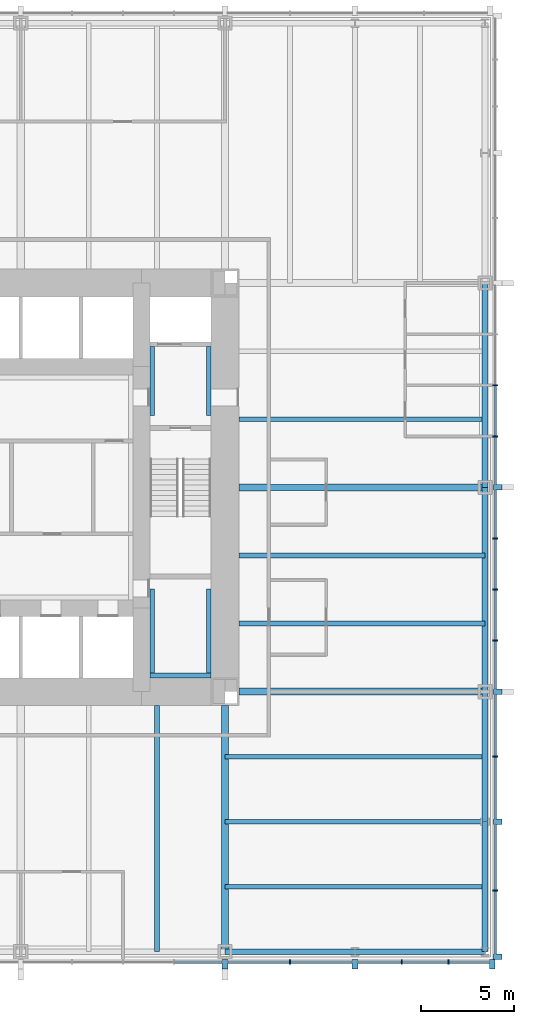
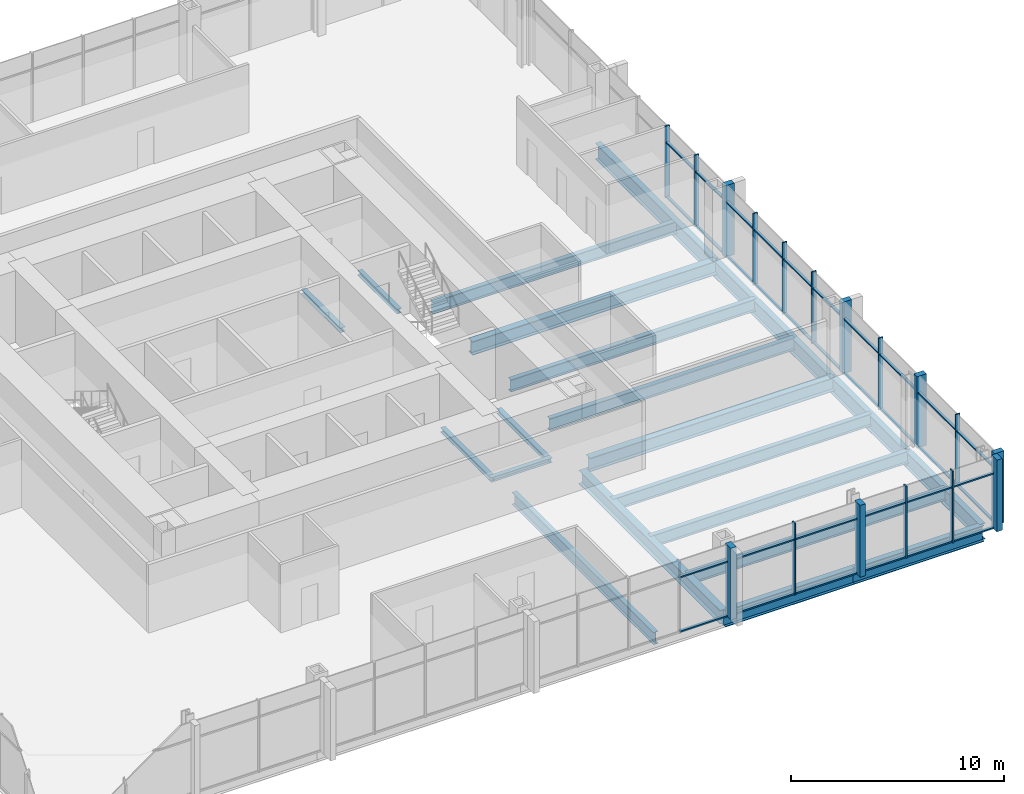
# One storey, part 4 of 12: 49 members, 21 beams, 2 elements without a shape of their own.
"""IFC4 building model written with IfcOpenShell, lengths in metres."""

from ifc_helpers import new_model, si_unit, direction, frame, origin, origin_2d, place, context, subcontext, project, spatial, rectangle, i_section, extrude, material, material_profile, profile_set, type_object, element, aggregate, save


model = new_model("IFC4")

# Units and contexts
model_context = context("Model", 3, precision=1e-05, world=origin(), true_north=direction((0.0, 1.0)))
body_context = subcontext(model_context, "Body", "Model", "MODEL_VIEW")
ifc_project = project(units=[si_unit("LENGTHUNIT", "METRE"), si_unit("AREAUNIT", "SQUARE_METRE"), si_unit("VOLUMEUNIT", "CUBIC_METRE"), si_unit("PLANEANGLEUNIT", "RADIAN"), si_unit("MASSUNIT", "GRAM", prefix="KILO")], contexts=[model_context])

# Site, building, storey
site_placement = place(None, origin())
site = spatial("IfcSite", under=ifc_project, at=site_placement, CompositionType="ELEMENT")
building_placement = place(site_placement, origin())
building = spatial("IfcBuilding", under=site, at=building_placement, Name="Trevanion Tower", CompositionType="ELEMENT")
storey_placement = place(building_placement, frame((0.0, 0.0, 57.0)))
storey = spatial("IfcBuildingStorey", under=building, at=storey_placement, Name="L13", CompositionType="ELEMENT", Elevation=57.0)

# Beams
ifc_material_1 = material(Name="Steel ASTM A992 Grade 50", Category="steel")
ifc_material_profile_1 = material_profile(ifc_material_1, i_section(OverallWidth=0.25390625, OverallDepth=0.700927734375, WebThickness=0.015380859375, FlangeThickness=0.02783203125, at=origin_2d()), Name="W27X129")
ifc_profile_set_1 = profile_set([ifc_material_profile_1], Name="Steel ASTM A992 Grade 50")
beam_type_1 = type_object("IfcBeamType", Name="B3 W27X129", PredefinedType="BEAM", material=ifc_profile_set_1)
for number, where, z_axis, x_axis, name in (
    (1, (11.75, -7.333251953125, -0.54052734375), (1.0, 0.0, 0.0), (0.0, 1.0, 0.0), "B3 L13"),
    (2, (11.75, -3.666748046875, -0.54052734375), (1.0, 0.0, 0.0), (0.0, 1.0, 0.0), "B3 L13"),
    (3, (11.75, 3.666748046875, -0.54052734375), (1.0, 0.0, 0.0), (0.0, 1.0, 0.0), "B3 L13"),
    (4, (7.333251953125, -11.75, -0.54052734375), (0.0, -1.0, 0.0), (1.0, 0.0, 0.0), "B3 L13"),
):
    element("IfcBeam", number, at=place(storey_placement, frame(where, z_axis=z_axis, x_axis=x_axis)), inside=storey, type_object=beam_type_1, Name=name, PredefinedType="BEAM", context=body_context, shape_type="SweptSolid", body=[
        extrude(i_section(OverallWidth=0.25390625, OverallDepth=0.700927734375, WebThickness=0.015380859375, FlangeThickness=0.02783203125, at=origin_2d()), origin(), (0.0, 0.0, 1.0), 13.25),
    ])
ifc_material_2 = material(Name="Steel ASTM A992 Grade 50", Category="steel")
ifc_material_profile_2 = material_profile(ifc_material_2, i_section(OverallWidth=0.256591796875, OverallDepth=0.693359375, WebThickness=0.014404296875, FlangeThickness=0.023681640625, at=origin_2d()), Name="W27X114")
ifc_profile_set_2 = profile_set([ifc_material_profile_2], Name="Steel ASTM A992 Grade 50")
beam_type_2 = type_object("IfcBeamType", Name="B4 W27X114", PredefinedType="BEAM", material=ifc_profile_set_2)
for number, where, z_axis, x_axis, name in (
    (5, (11.0, -14.5, -0.53662109375), (1.0, 0.0, 0.0), (0.0, 1.0, 0.0), "B4 L13"),
    (6, (11.0, -18.0, -0.53662109375), (1.0, 0.0, 0.0), (0.0, 1.0, 0.0), "B4 L13"),
    (7, (11.0, -21.5, -0.53662109375), (1.0, 0.0, 0.0), (0.0, 1.0, 0.0), "B4 L13"),
):
    element("IfcBeam", number, at=place(storey_placement, frame(where, z_axis=z_axis, x_axis=x_axis)), inside=storey, type_object=beam_type_2, Name=name, PredefinedType="BEAM", context=body_context, shape_type="SweptSolid", body=[
        extrude(i_section(OverallWidth=0.256591796875, OverallDepth=0.693359375, WebThickness=0.014404296875, FlangeThickness=0.023681640625, at=origin_2d()), origin(), (0.0, 0.0, 1.0), 14.0),
    ])

# Curtain wall, members
ifc_material_3 = material(Name="Aluminium and glass", Category="aluminium")
curtain_wall_type = type_object("IfcCurtainWallType", Name="CW1 curtain wall", PredefinedType="USERDEFINED", material=ifc_material_3)
curtain_wall_1_placement = place(storey_placement, origin())
curtain_wall_1 = element("IfcCurtainWall", 8, at=curtain_wall_1_placement, inside=storey, type_object=curtain_wall_type, Name="CW1 L13 0", ObjectType="UNITISED CURTAIN WALL", PredefinedType="USERDEFINED")
ifc_material_4 = material(Name="Aluminium extrusion, anodised bronze", Category="aluminium")
ifc_material_profile_3 = material_profile(ifc_material_4, rectangle(XDim=0.074951171875, YDim=0.25, at=origin_2d()), Name="CW1 mullion")
ifc_profile_set_3 = profile_set([ifc_material_profile_3], Name="Aluminium extrusion, anodised bronze")
member_type_1 = type_object("IfcMemberType", Name="CW1 mullion", PredefinedType="MULLION", material=ifc_profile_set_3)
member_1_placement = place(storey_placement, frame((25.550048828125, -21.7099609375, -0.18994140625), z_axis=(0.0, 0.0, 1.0), x_axis=(0.0, 1.0, 0.0)))
member_1 = element("IfcMember", 9, at=member_1_placement, type_object=member_type_1, Name="CW1 mullion 2", PredefinedType="MULLION", context=body_context, shape_type="SweptSolid", body=[
    extrude(rectangle(XDim=0.074951171875, YDim=0.25, at=origin_2d()), origin(), (0.0, 0.0, 1.0), 4.099853515625),
])
member_2_placement = place(storey_placement, frame((25.550048828125, -14.5, -0.18994140625), z_axis=(0.0, 0.0, 1.0), x_axis=(0.0, 1.0, 0.0)))
member_2 = element("IfcMember", 10, at=member_2_placement, type_object=member_type_1, Name="CW1 mullion 4", PredefinedType="MULLION", context=body_context, shape_type="SweptSolid", body=[
    extrude(rectangle(XDim=0.074951171875, YDim=0.25, at=origin_2d()), origin(), (0.0, 0.0, 1.0), 4.099853515625),
])
member_3_placement = place(storey_placement, frame((25.550048828125, -8.25, -0.18994140625), z_axis=(0.0, 0.0, 1.0), x_axis=(0.0, 1.0, 0.0)))
member_3 = element("IfcMember", 11, at=member_3_placement, type_object=member_type_1, Name="CW1 mullion 6", PredefinedType="MULLION", context=body_context, shape_type="SweptSolid", body=[
    extrude(rectangle(XDim=0.074951171875, YDim=0.25, at=origin_2d()), origin(), (0.0, 0.0, 1.0), 4.099853515625),
])
member_4_placement = place(storey_placement, frame((25.550048828125, -5.5, -0.18994140625), z_axis=(0.0, 0.0, 1.0), x_axis=(0.0, 1.0, 0.0)))
member_4 = element("IfcMember", 12, at=member_4_placement, type_object=member_type_1, Name="CW1 mullion 7", PredefinedType="MULLION", context=body_context, shape_type="SweptSolid", body=[
    extrude(rectangle(XDim=0.074951171875, YDim=0.25, at=origin_2d()), origin(), (0.0, 0.0, 1.0), 4.099853515625),
])
member_5_placement = place(storey_placement, frame((25.550048828125, -2.75, -0.18994140625), z_axis=(0.0, 0.0, 1.0), x_axis=(0.0, 1.0, 0.0)))
member_5 = element("IfcMember", 13, at=member_5_placement, type_object=member_type_1, Name="CW1 mullion 8", PredefinedType="MULLION", context=body_context, shape_type="SweptSolid", body=[
    extrude(rectangle(XDim=0.074951171875, YDim=0.25, at=origin_2d()), origin(), (0.0, 0.0, 1.0), 4.099853515625),
])
member_6_placement = place(storey_placement, frame((25.550048828125, 2.75, -0.18994140625), z_axis=(0.0, 0.0, 1.0), x_axis=(0.0, 1.0, 0.0)))
member_6 = element("IfcMember", 14, at=member_6_placement, type_object=member_type_1, Name="CW1 mullion 10", PredefinedType="MULLION", context=body_context, shape_type="SweptSolid", body=[
    extrude(rectangle(XDim=0.074951171875, YDim=0.25, at=origin_2d()), origin(), (0.0, 0.0, 1.0), 4.099853515625),
])
member_7_placement = place(storey_placement, frame((25.550048828125, 5.5, -0.18994140625), z_axis=(0.0, 0.0, 1.0), x_axis=(0.0, 1.0, 0.0)))
member_7 = element("IfcMember", 15, at=member_7_placement, type_object=member_type_1, Name="CW1 mullion 11", PredefinedType="MULLION", context=body_context, shape_type="SweptSolid", body=[
    extrude(rectangle(XDim=0.074951171875, YDim=0.25, at=origin_2d()), origin(), (0.0, 0.0, 1.0), 4.099853515625),
])

curtain_wall_2_placement = place(storey_placement, origin())
curtain_wall_2 = element("IfcCurtainWall", 16, at=curtain_wall_2_placement, inside=storey, type_object=curtain_wall_type, Name="CW1 L13 3", ObjectType="UNITISED CURTAIN WALL", PredefinedType="USERDEFINED")
member_8_placement = place(storey_placement, frame((14.5, -25.550048828125, -0.18994140625), z_axis=(0.0, 0.0, 1.0), x_axis=(1.0, 0.0, 0.0)))
member_8 = element("IfcMember", 17, at=member_8_placement, type_object=member_type_1, Name="CW1 mullion 14", PredefinedType="MULLION", context=body_context, shape_type="SweptSolid", body=[
    extrude(rectangle(XDim=0.074951171875, YDim=0.25, at=origin_2d()), origin(), (0.0, 0.0, 1.0), 4.099853515625),
])
member_9_placement = place(storey_placement, frame((20.5166015625, -25.550048828125, -0.18994140625), z_axis=(0.0, 0.0, 1.0), x_axis=(1.0, 0.0, 0.0)))
member_9 = element("IfcMember", 18, at=member_9_placement, type_object=member_type_1, Name="CW1 mullion 16", PredefinedType="MULLION", context=body_context, shape_type="SweptSolid", body=[
    extrude(rectangle(XDim=0.074951171875, YDim=0.25, at=origin_2d()), origin(), (0.0, 0.0, 1.0), 4.099853515625),
])
member_10_placement = place(storey_placement, frame((23.033203125, -25.550048828125, -0.18994140625), z_axis=(0.0, 0.0, 1.0), x_axis=(1.0, 0.0, 0.0)))
member_10 = element("IfcMember", 19, at=member_10_placement, type_object=member_type_1, Name="CW1 mullion 17", PredefinedType="MULLION", context=body_context, shape_type="SweptSolid", body=[
    extrude(rectangle(XDim=0.074951171875, YDim=0.25, at=origin_2d()), origin(), (0.0, 0.0, 1.0), 4.099853515625),
])

# Member
ifc_material_5 = material(Name="Aluminium extrusion, anodised bronze", Category="aluminium")
ifc_material_profile_4 = material_profile(ifc_material_5, rectangle(XDim=0.300048828125, YDim=0.5, at=origin_2d()), Name="CW1 pier mullion")
ifc_profile_set_4 = profile_set([ifc_material_profile_4], Name="Aluminium extrusion, anodised bronze")
member_type_2 = type_object("IfcMemberType", Name="CW1 pier mullion", PredefinedType="MULLION", material=ifc_profile_set_4)
member_11_placement = place(storey_placement, frame((25.675048828125, -25.27001953125, -0.18994140625), z_axis=(0.0, 0.0, 1.0), x_axis=(0.0, 1.0, 0.0)))
member_11 = element("IfcMember", 20, at=member_11_placement, type_object=member_type_2, Name="CW1 pier mullion 1", PredefinedType="MULLION", context=body_context, shape_type="SweptSolid", body=[
    extrude(rectangle(XDim=0.300048828125, YDim=0.5, at=origin_2d()), origin(), (0.0, 0.0, 1.0), 4.099853515625),
])

member_12_placement = place(storey_placement, frame((25.675048828125, -18.0, -0.18994140625), z_axis=(0.0, 0.0, 1.0), x_axis=(0.0, 1.0, 0.0)))
member_12 = element("IfcMember", 21, at=member_12_placement, type_object=member_type_2, Name="CW1 pier mullion 3", PredefinedType="MULLION", context=body_context, shape_type="SweptSolid", body=[
    extrude(rectangle(XDim=0.300048828125, YDim=0.5, at=origin_2d()), origin(), (0.0, 0.0, 1.0), 4.099853515625),
])

member_13_placement = place(storey_placement, frame((25.675048828125, -11.0, -0.18994140625), z_axis=(0.0, 0.0, 1.0), x_axis=(0.0, 1.0, 0.0)))
member_13 = element("IfcMember", 22, at=member_13_placement, type_object=member_type_2, Name="CW1 pier mullion 5", PredefinedType="MULLION", context=body_context, shape_type="SweptSolid", body=[
    extrude(rectangle(XDim=0.300048828125, YDim=0.5, at=origin_2d()), origin(), (0.0, 0.0, 1.0), 4.099853515625),
])

member_14_placement = place(storey_placement, frame((25.675048828125, 0.0, -0.18994140625), z_axis=(0.0, 0.0, 1.0), x_axis=(0.0, 1.0, 0.0)))
member_14 = element("IfcMember", 23, at=member_14_placement, type_object=member_type_2, Name="CW1 pier mullion 9", PredefinedType="MULLION", context=body_context, shape_type="SweptSolid", body=[
    extrude(rectangle(XDim=0.300048828125, YDim=0.5, at=origin_2d()), origin(), (0.0, 0.0, 1.0), 4.099853515625),
])

member_15_placement = place(storey_placement, frame((11.0, -25.675048828125, -0.18994140625), z_axis=(0.0, 0.0, 1.0), x_axis=(1.0, 0.0, 0.0)))
member_15 = element("IfcMember", 24, at=member_15_placement, type_object=member_type_2, Name="CW1 pier mullion 13", PredefinedType="MULLION", context=body_context, shape_type="SweptSolid", body=[
    extrude(rectangle(XDim=0.300048828125, YDim=0.5, at=origin_2d()), origin(), (0.0, 0.0, 1.0), 4.099853515625),
])

member_16_placement = place(storey_placement, frame((18.0, -25.675048828125, -0.18994140625), z_axis=(0.0, 0.0, 1.0), x_axis=(1.0, 0.0, 0.0)))
member_16 = element("IfcMember", 25, at=member_16_placement, type_object=member_type_2, Name="CW1 pier mullion 15", PredefinedType="MULLION", context=body_context, shape_type="SweptSolid", body=[
    extrude(rectangle(XDim=0.300048828125, YDim=0.5, at=origin_2d()), origin(), (0.0, 0.0, 1.0), 4.099853515625),
])

member_17_placement = place(storey_placement, frame((25.39990234375, -25.675048828125, -0.18994140625), z_axis=(0.0, 0.0, 1.0), x_axis=(1.0, 0.0, 0.0)))
member_17 = element("IfcMember", 26, at=member_17_placement, type_object=member_type_2, Name="CW1 pier mullion 18", PredefinedType="MULLION", context=body_context, shape_type="SweptSolid", body=[
    extrude(rectangle(XDim=0.300048828125, YDim=0.5, at=origin_2d()), origin(), (0.0, 0.0, 1.0), 4.099853515625),
])

ifc_material_6 = material(Name="Aluminium extrusion, anodised bronze", Category="aluminium")
ifc_material_profile_5 = material_profile(ifc_material_6, rectangle(XDim=0.14990234375, YDim=0.074951171875, at=origin_2d()), Name="CW1 transom")
ifc_profile_set_5 = profile_set([ifc_material_profile_5], Name="Aluminium extrusion, anodised bronze")
member_type_3 = type_object("IfcMemberType", Name="CW1 transom", PredefinedType="USERDEFINED", material=ifc_profile_set_5)
member_18_placement = place(storey_placement, frame((25.550048828125, -25.1201171875, -0.152587890625), z_axis=(0.0, 1.0, 0.0), x_axis=(-1.0, 0.0, 0.0)))
member_18 = element("IfcMember", 27, at=member_18_placement, type_object=member_type_3, Name="CW1 transom 1.1", ObjectType="TRANSOM", PredefinedType="USERDEFINED", context=body_context, shape_type="SweptSolid", body=[
    extrude(rectangle(XDim=0.14990234375, YDim=0.074951171875, at=origin_2d()), origin(), (0.0, 0.0, 1.0), 3.37255859375),
])

member_19_placement = place(storey_placement, frame((25.550048828125, -25.1201171875, 2.9599609375), z_axis=(0.0, 1.0, 0.0), x_axis=(-1.0, 0.0, 0.0)))
member_19 = element("IfcMember", 28, at=member_19_placement, type_object=member_type_3, Name="CW1 transom 1.2", ObjectType="TRANSOM", PredefinedType="USERDEFINED", context=body_context, shape_type="SweptSolid", body=[
    extrude(rectangle(XDim=0.14990234375, YDim=0.074951171875, at=origin_2d()), origin(), (0.0, 0.0, 1.0), 3.37255859375),
])

member_20_placement = place(storey_placement, frame((25.550048828125, -21.672607421875, -0.152587890625), z_axis=(0.0, 1.0, 0.0), x_axis=(-1.0, 0.0, 0.0)))
member_20 = element("IfcMember", 29, at=member_20_placement, type_object=member_type_3, Name="CW1 transom 2.1", ObjectType="TRANSOM", PredefinedType="USERDEFINED", context=body_context, shape_type="SweptSolid", body=[
    extrude(rectangle(XDim=0.14990234375, YDim=0.074951171875, at=origin_2d()), origin(), (0.0, 0.0, 1.0), 3.522705078125),
])

member_21_placement = place(storey_placement, frame((25.550048828125, -21.672607421875, 2.9599609375), z_axis=(0.0, 1.0, 0.0), x_axis=(-1.0, 0.0, 0.0)))
member_21 = element("IfcMember", 30, at=member_21_placement, type_object=member_type_3, Name="CW1 transom 2.2", ObjectType="TRANSOM", PredefinedType="USERDEFINED", context=body_context, shape_type="SweptSolid", body=[
    extrude(rectangle(XDim=0.14990234375, YDim=0.074951171875, at=origin_2d()), origin(), (0.0, 0.0, 1.0), 3.522705078125),
])

member_22_placement = place(storey_placement, frame((25.550048828125, -17.85009765625, -0.152587890625), z_axis=(0.0, 1.0, 0.0), x_axis=(-1.0, 0.0, 0.0)))
member_22 = element("IfcMember", 31, at=member_22_placement, type_object=member_type_3, Name="CW1 transom 3.1", ObjectType="TRANSOM", PredefinedType="USERDEFINED", context=body_context, shape_type="SweptSolid", body=[
    extrude(rectangle(XDim=0.14990234375, YDim=0.074951171875, at=origin_2d()), origin(), (0.0, 0.0, 1.0), 3.3125),
])

member_23_placement = place(storey_placement, frame((25.550048828125, -17.85009765625, 2.9599609375), z_axis=(0.0, 1.0, 0.0), x_axis=(-1.0, 0.0, 0.0)))
member_23 = element("IfcMember", 32, at=member_23_placement, type_object=member_type_3, Name="CW1 transom 3.2", ObjectType="TRANSOM", PredefinedType="USERDEFINED", context=body_context, shape_type="SweptSolid", body=[
    extrude(rectangle(XDim=0.14990234375, YDim=0.074951171875, at=origin_2d()), origin(), (0.0, 0.0, 1.0), 3.3125),
])

member_24_placement = place(storey_placement, frame((25.550048828125, -14.46240234375, -0.152587890625), z_axis=(0.0, 1.0, 0.0), x_axis=(-1.0, 0.0, 0.0)))
member_24 = element("IfcMember", 33, at=member_24_placement, type_object=member_type_3, Name="CW1 transom 4.1", ObjectType="TRANSOM", PredefinedType="USERDEFINED", context=body_context, shape_type="SweptSolid", body=[
    extrude(rectangle(XDim=0.14990234375, YDim=0.074951171875, at=origin_2d()), origin(), (0.0, 0.0, 1.0), 3.3125),
])

member_25_placement = place(storey_placement, frame((25.550048828125, -14.46240234375, 2.9599609375), z_axis=(0.0, 1.0, 0.0), x_axis=(-1.0, 0.0, 0.0)))
member_25 = element("IfcMember", 34, at=member_25_placement, type_object=member_type_3, Name="CW1 transom 4.2", ObjectType="TRANSOM", PredefinedType="USERDEFINED", context=body_context, shape_type="SweptSolid", body=[
    extrude(rectangle(XDim=0.14990234375, YDim=0.074951171875, at=origin_2d()), origin(), (0.0, 0.0, 1.0), 3.3125),
])

member_26_placement = place(storey_placement, frame((25.550048828125, -10.85009765625, -0.152587890625), z_axis=(0.0, 1.0, 0.0), x_axis=(-1.0, 0.0, 0.0)))
member_26 = element("IfcMember", 35, at=member_26_placement, type_object=member_type_3, Name="CW1 transom 5.1", ObjectType="TRANSOM", PredefinedType="USERDEFINED", context=body_context, shape_type="SweptSolid", body=[
    extrude(rectangle(XDim=0.14990234375, YDim=0.074951171875, at=origin_2d()), origin(), (0.0, 0.0, 1.0), 2.5625),
])

member_27_placement = place(storey_placement, frame((25.550048828125, -10.85009765625, 2.9599609375), z_axis=(0.0, 1.0, 0.0), x_axis=(-1.0, 0.0, 0.0)))
member_27 = element("IfcMember", 36, at=member_27_placement, type_object=member_type_3, Name="CW1 transom 5.2", ObjectType="TRANSOM", PredefinedType="USERDEFINED", context=body_context, shape_type="SweptSolid", body=[
    extrude(rectangle(XDim=0.14990234375, YDim=0.074951171875, at=origin_2d()), origin(), (0.0, 0.0, 1.0), 2.5625),
])

member_28_placement = place(storey_placement, frame((25.550048828125, -8.21240234375, -0.152587890625), z_axis=(0.0, 1.0, 0.0), x_axis=(-1.0, 0.0, 0.0)))
member_28 = element("IfcMember", 37, at=member_28_placement, type_object=member_type_3, Name="CW1 transom 6.1", ObjectType="TRANSOM", PredefinedType="USERDEFINED", context=body_context, shape_type="SweptSolid", body=[
    extrude(rectangle(XDim=0.14990234375, YDim=0.074951171875, at=origin_2d()), origin(), (0.0, 0.0, 1.0), 2.6748046875),
])

member_29_placement = place(storey_placement, frame((25.550048828125, -8.21240234375, 2.9599609375), z_axis=(0.0, 1.0, 0.0), x_axis=(-1.0, 0.0, 0.0)))
member_29 = element("IfcMember", 38, at=member_29_placement, type_object=member_type_3, Name="CW1 transom 6.2", ObjectType="TRANSOM", PredefinedType="USERDEFINED", context=body_context, shape_type="SweptSolid", body=[
    extrude(rectangle(XDim=0.14990234375, YDim=0.074951171875, at=origin_2d()), origin(), (0.0, 0.0, 1.0), 2.6748046875),
])

member_30_placement = place(storey_placement, frame((25.550048828125, -5.46240234375, -0.152587890625), z_axis=(0.0, 1.0, 0.0), x_axis=(-1.0, 0.0, 0.0)))
member_30 = element("IfcMember", 39, at=member_30_placement, type_object=member_type_3, Name="CW1 transom 7.1", ObjectType="TRANSOM", PredefinedType="USERDEFINED", context=body_context, shape_type="SweptSolid", body=[
    extrude(rectangle(XDim=0.14990234375, YDim=0.074951171875, at=origin_2d()), origin(), (0.0, 0.0, 1.0), 2.6748046875),
])

member_31_placement = place(storey_placement, frame((25.550048828125, -5.46240234375, 2.9599609375), z_axis=(0.0, 1.0, 0.0), x_axis=(-1.0, 0.0, 0.0)))
member_31 = element("IfcMember", 40, at=member_31_placement, type_object=member_type_3, Name="CW1 transom 7.2", ObjectType="TRANSOM", PredefinedType="USERDEFINED", context=body_context, shape_type="SweptSolid", body=[
    extrude(rectangle(XDim=0.14990234375, YDim=0.074951171875, at=origin_2d()), origin(), (0.0, 0.0, 1.0), 2.6748046875),
])

member_32_placement = place(storey_placement, frame((25.550048828125, -2.71240234375, -0.152587890625), z_axis=(0.0, 1.0, 0.0), x_axis=(-1.0, 0.0, 0.0)))
member_32 = element("IfcMember", 41, at=member_32_placement, type_object=member_type_3, Name="CW1 transom 8.1", ObjectType="TRANSOM", PredefinedType="USERDEFINED", context=body_context, shape_type="SweptSolid", body=[
    extrude(rectangle(XDim=0.14990234375, YDim=0.074951171875, at=origin_2d()), origin(), (0.0, 0.0, 1.0), 2.5625),
])

member_33_placement = place(storey_placement, frame((25.550048828125, -2.71240234375, 2.9599609375), z_axis=(0.0, 1.0, 0.0), x_axis=(-1.0, 0.0, 0.0)))
member_33 = element("IfcMember", 42, at=member_33_placement, type_object=member_type_3, Name="CW1 transom 8.2", ObjectType="TRANSOM", PredefinedType="USERDEFINED", context=body_context, shape_type="SweptSolid", body=[
    extrude(rectangle(XDim=0.14990234375, YDim=0.074951171875, at=origin_2d()), origin(), (0.0, 0.0, 1.0), 2.5625),
])

member_34_placement = place(storey_placement, frame((25.550048828125, 0.14990234375, -0.152587890625), z_axis=(0.0, 1.0, 0.0), x_axis=(-1.0, 0.0, 0.0)))
member_34 = element("IfcMember", 43, at=member_34_placement, type_object=member_type_3, Name="CW1 transom 9.1", ObjectType="TRANSOM", PredefinedType="USERDEFINED", context=body_context, shape_type="SweptSolid", body=[
    extrude(rectangle(XDim=0.14990234375, YDim=0.074951171875, at=origin_2d()), origin(), (0.0, 0.0, 1.0), 2.5625),
])

member_35_placement = place(storey_placement, frame((25.550048828125, 0.14990234375, 2.9599609375), z_axis=(0.0, 1.0, 0.0), x_axis=(-1.0, 0.0, 0.0)))
member_35 = element("IfcMember", 44, at=member_35_placement, type_object=member_type_3, Name="CW1 transom 9.2", ObjectType="TRANSOM", PredefinedType="USERDEFINED", context=body_context, shape_type="SweptSolid", body=[
    extrude(rectangle(XDim=0.14990234375, YDim=0.074951171875, at=origin_2d()), origin(), (0.0, 0.0, 1.0), 2.5625),
])

member_36_placement = place(storey_placement, frame((25.550048828125, 2.78759765625, -0.152587890625), z_axis=(0.0, 1.0, 0.0), x_axis=(-1.0, 0.0, 0.0)))
member_36 = element("IfcMember", 45, at=member_36_placement, type_object=member_type_3, Name="CW1 transom 10.1", ObjectType="TRANSOM", PredefinedType="USERDEFINED", context=body_context, shape_type="SweptSolid", body=[
    extrude(rectangle(XDim=0.14990234375, YDim=0.074951171875, at=origin_2d()), origin(), (0.0, 0.0, 1.0), 2.6748046875),
])

member_37_placement = place(storey_placement, frame((25.550048828125, 2.78759765625, 2.9599609375), z_axis=(0.0, 1.0, 0.0), x_axis=(-1.0, 0.0, 0.0)))
member_37 = element("IfcMember", 46, at=member_37_placement, type_object=member_type_3, Name="CW1 transom 10.2", ObjectType="TRANSOM", PredefinedType="USERDEFINED", context=body_context, shape_type="SweptSolid", body=[
    extrude(rectangle(XDim=0.14990234375, YDim=0.074951171875, at=origin_2d()), origin(), (0.0, 0.0, 1.0), 2.6748046875),
])

aggregate(curtain_wall_1, [member_11, member_1, member_12, member_2, member_13, member_3, member_4, member_5, member_14, member_6, member_7, member_18, member_19, member_20, member_21, member_22, member_23, member_24, member_25, member_26, member_27, member_28, member_29, member_30, member_31, member_32, member_33, member_34, member_35, member_36, member_37])

member_38_placement = place(storey_placement, frame((8.28759765625, -25.550048828125, -0.152587890625), z_axis=(1.0, 0.0, 0.0), x_axis=(0.0, 1.0, 0.0)))
member_38 = element("IfcMember", 47, at=member_38_placement, type_object=member_type_3, Name="CW1 transom 12.1", ObjectType="TRANSOM", PredefinedType="USERDEFINED", context=body_context, shape_type="SweptSolid", body=[
    extrude(rectangle(XDim=0.14990234375, YDim=0.074951171875, at=origin_2d()), origin(), (0.0, 0.0, 1.0), 2.5625),
])

member_39_placement = place(storey_placement, frame((8.28759765625, -25.550048828125, 2.9599609375), z_axis=(1.0, 0.0, 0.0), x_axis=(0.0, 1.0, 0.0)))
member_39 = element("IfcMember", 48, at=member_39_placement, type_object=member_type_3, Name="CW1 transom 12.2", ObjectType="TRANSOM", PredefinedType="USERDEFINED", context=body_context, shape_type="SweptSolid", body=[
    extrude(rectangle(XDim=0.14990234375, YDim=0.074951171875, at=origin_2d()), origin(), (0.0, 0.0, 1.0), 2.5625),
])

member_40_placement = place(storey_placement, frame((11.14990234375, -25.550048828125, -0.152587890625), z_axis=(1.0, 0.0, 0.0), x_axis=(0.0, 1.0, 0.0)))
member_40 = element("IfcMember", 49, at=member_40_placement, type_object=member_type_3, Name="CW1 transom 13.1", ObjectType="TRANSOM", PredefinedType="USERDEFINED", context=body_context, shape_type="SweptSolid", body=[
    extrude(rectangle(XDim=0.14990234375, YDim=0.074951171875, at=origin_2d()), origin(), (0.0, 0.0, 1.0), 3.3125),
])

member_41_placement = place(storey_placement, frame((11.14990234375, -25.550048828125, 2.9599609375), z_axis=(1.0, 0.0, 0.0), x_axis=(0.0, 1.0, 0.0)))
member_41 = element("IfcMember", 50, at=member_41_placement, type_object=member_type_3, Name="CW1 transom 13.2", ObjectType="TRANSOM", PredefinedType="USERDEFINED", context=body_context, shape_type="SweptSolid", body=[
    extrude(rectangle(XDim=0.14990234375, YDim=0.074951171875, at=origin_2d()), origin(), (0.0, 0.0, 1.0), 3.3125),
])

member_42_placement = place(storey_placement, frame((14.53759765625, -25.550048828125, -0.152587890625), z_axis=(1.0, 0.0, 0.0), x_axis=(0.0, 1.0, 0.0)))
member_42 = element("IfcMember", 51, at=member_42_placement, type_object=member_type_3, Name="CW1 transom 14.1", ObjectType="TRANSOM", PredefinedType="USERDEFINED", context=body_context, shape_type="SweptSolid", body=[
    extrude(rectangle(XDim=0.14990234375, YDim=0.074951171875, at=origin_2d()), origin(), (0.0, 0.0, 1.0), 3.3125),
])

member_43_placement = place(storey_placement, frame((14.53759765625, -25.550048828125, 2.9599609375), z_axis=(1.0, 0.0, 0.0), x_axis=(0.0, 1.0, 0.0)))
member_43 = element("IfcMember", 52, at=member_43_placement, type_object=member_type_3, Name="CW1 transom 14.2", ObjectType="TRANSOM", PredefinedType="USERDEFINED", context=body_context, shape_type="SweptSolid", body=[
    extrude(rectangle(XDim=0.14990234375, YDim=0.074951171875, at=origin_2d()), origin(), (0.0, 0.0, 1.0), 3.3125),
])

member_44_placement = place(storey_placement, frame((18.14990234375, -25.550048828125, -0.152587890625), z_axis=(1.0, 0.0, 0.0), x_axis=(0.0, 1.0, 0.0)))
member_44 = element("IfcMember", 53, at=member_44_placement, type_object=member_type_3, Name="CW1 transom 15.1", ObjectType="TRANSOM", PredefinedType="USERDEFINED", context=body_context, shape_type="SweptSolid", body=[
    extrude(rectangle(XDim=0.14990234375, YDim=0.074951171875, at=origin_2d()), origin(), (0.0, 0.0, 1.0), 2.329345703125),
])

member_45_placement = place(storey_placement, frame((18.14990234375, -25.550048828125, 2.9599609375), z_axis=(1.0, 0.0, 0.0), x_axis=(0.0, 1.0, 0.0)))
member_45 = element("IfcMember", 54, at=member_45_placement, type_object=member_type_3, Name="CW1 transom 15.2", ObjectType="TRANSOM", PredefinedType="USERDEFINED", context=body_context, shape_type="SweptSolid", body=[
    extrude(rectangle(XDim=0.14990234375, YDim=0.074951171875, at=origin_2d()), origin(), (0.0, 0.0, 1.0), 2.329345703125),
])

member_46_placement = place(storey_placement, frame((20.55419921875, -25.550048828125, -0.152587890625), z_axis=(1.0, 0.0, 0.0), x_axis=(0.0, 1.0, 0.0)))
member_46 = element("IfcMember", 55, at=member_46_placement, type_object=member_type_3, Name="CW1 transom 16.1", ObjectType="TRANSOM", PredefinedType="USERDEFINED", context=body_context, shape_type="SweptSolid", body=[
    extrude(rectangle(XDim=0.14990234375, YDim=0.074951171875, at=origin_2d()), origin(), (0.0, 0.0, 1.0), 2.441650390625),
])

member_47_placement = place(storey_placement, frame((20.55419921875, -25.550048828125, 2.9599609375), z_axis=(1.0, 0.0, 0.0), x_axis=(0.0, 1.0, 0.0)))
member_47 = element("IfcMember", 56, at=member_47_placement, type_object=member_type_3, Name="CW1 transom 16.2", ObjectType="TRANSOM", PredefinedType="USERDEFINED", context=body_context, shape_type="SweptSolid", body=[
    extrude(rectangle(XDim=0.14990234375, YDim=0.074951171875, at=origin_2d()), origin(), (0.0, 0.0, 1.0), 2.441650390625),
])

member_48_placement = place(storey_placement, frame((23.07080078125, -25.550048828125, -0.152587890625), z_axis=(1.0, 0.0, 0.0), x_axis=(0.0, 1.0, 0.0)))
member_48 = element("IfcMember", 57, at=member_48_placement, type_object=member_type_3, Name="CW1 transom 17.1", ObjectType="TRANSOM", PredefinedType="USERDEFINED", context=body_context, shape_type="SweptSolid", body=[
    extrude(rectangle(XDim=0.14990234375, YDim=0.074951171875, at=origin_2d()), origin(), (0.0, 0.0, 1.0), 2.17919921875),
])

member_49_placement = place(storey_placement, frame((23.07080078125, -25.550048828125, 2.9599609375), z_axis=(1.0, 0.0, 0.0), x_axis=(0.0, 1.0, 0.0)))
member_49 = element("IfcMember", 58, at=member_49_placement, type_object=member_type_3, Name="CW1 transom 17.2", ObjectType="TRANSOM", PredefinedType="USERDEFINED", context=body_context, shape_type="SweptSolid", body=[
    extrude(rectangle(XDim=0.14990234375, YDim=0.074951171875, at=origin_2d()), origin(), (0.0, 0.0, 1.0), 2.17919921875),
])

aggregate(curtain_wall_2, [member_15, member_8, member_16, member_9, member_10, member_17, member_38, member_39, member_40, member_41, member_42, member_43, member_44, member_45, member_46, member_47, member_48, member_49])

# Beams
ifc_material_7 = material(Name="Steel ASTM A992 Grade 50", Category="steel")
ifc_material_profile_6 = material_profile(ifc_material_7, i_section(OverallWidth=0.381103515625, OverallDepth=0.77978515625, WebThickness=0.01806640625, FlangeThickness=0.0302734375, at=origin_2d()), Name="W30X191")
ifc_profile_set_6 = profile_set([ifc_material_profile_6], Name="Steel ASTM A992 Grade 50")
beam_type_3 = type_object("IfcBeamType", Name="G2 W30X191", PredefinedType="BEAM", material=ifc_profile_set_6)
for number, where, z_axis, x_axis, name in (
    (59, (11.75, -11.0, -0.579833984375), (1.0, 0.0, 0.0), (0.0, 1.0, 0.0), "G2 L13"),
    (60, (11.75, 0.0, -0.579833984375), (1.0, 0.0, 0.0), (0.0, 1.0, 0.0), "G2 L13"),
    (61, (11.0, -11.75, -0.579833984375), (0.0, -1.0, 0.0), (1.0, 0.0, 0.0), "G2 L13"),
):
    element("IfcBeam", number, at=place(storey_placement, frame(where, z_axis=z_axis, x_axis=x_axis)), inside=storey, type_object=beam_type_3, Name=name, PredefinedType="BEAM", context=body_context, shape_type="SweptSolid", body=[
        extrude(i_section(OverallWidth=0.381103515625, OverallDepth=0.77978515625, WebThickness=0.01806640625, FlangeThickness=0.0302734375, at=origin_2d()), origin(), (0.0, 0.0, 1.0), 13.25),
    ])
ifc_material_8 = material(Name="Steel ASTM A992 Grade 50", Category="steel")
ifc_material_profile_7 = material_profile(ifc_material_8, i_section(OverallWidth=0.256591796875, OverallDepth=0.26416015625, WebThickness=0.011962890625, FlangeThickness=0.01953125, at=origin_2d()), Name="W10X68")
ifc_profile_set_7 = profile_set([ifc_material_profile_7], Name="Steel ASTM A992 Grade 50")
beam_type_4 = type_object("IfcBeamType", Name="LB1 W10X68", PredefinedType="BEAM", material=ifc_profile_set_7)
for number, where, z_axis, x_axis, name in (
    (62, (7.078369140625, 3.875, -0.33203125), (0.0, 1.0, 0.0), (-1.0, 0.0, 0.0), "LB1 L13"),
    (63, (10.12158203125, 3.875, -0.33203125), (0.0, 1.0, 0.0), (-1.0, 0.0, 0.0), "LB1 L13"),
):
    element("IfcBeam", number, at=place(storey_placement, frame(where, z_axis=z_axis, x_axis=x_axis)), inside=storey, type_object=beam_type_4, Name=name, PredefinedType="BEAM", context=body_context, shape_type="SweptSolid", body=[
        extrude(i_section(OverallWidth=0.256591796875, OverallDepth=0.26416015625, WebThickness=0.011962890625, FlangeThickness=0.01953125, at=origin_2d()), origin(), (0.0, 0.0, 1.0), 3.699951171875),
    ])
for number, where, z_axis, x_axis, name in (
    (64, (7.078369140625, -10.25, -0.33203125), (0.0, 1.0, 0.0), (-1.0, 0.0, 0.0), "LB1 L13"),
    (65, (10.12158203125, -10.25, -0.33203125), (0.0, 1.0, 0.0), (-1.0, 0.0, 0.0), "LB1 L13"),
):
    element("IfcBeam", number, at=place(storey_placement, frame(where, z_axis=z_axis, x_axis=x_axis)), inside=storey, type_object=beam_type_4, Name=name, PredefinedType="BEAM", context=body_context, shape_type="SweptSolid", body=[
        extrude(i_section(OverallWidth=0.256591796875, OverallDepth=0.26416015625, WebThickness=0.011962890625, FlangeThickness=0.01953125, at=origin_2d()), origin(), (0.0, 0.0, 1.0), 4.77490234375),
    ])
beam_placement = place(storey_placement, frame((6.949951171875, -10.12158203125, -0.33203125), z_axis=(1.0, 0.0, 0.0), x_axis=(0.0, 1.0, 0.0)))
element("IfcBeam", 66, at=beam_placement, inside=storey, type_object=beam_type_4, Name="LB1 L13", PredefinedType="BEAM", context=body_context, shape_type="SweptSolid", body=[
    extrude(i_section(OverallWidth=0.256591796875, OverallDepth=0.26416015625, WebThickness=0.011962890625, FlangeThickness=0.01953125, at=origin_2d()), origin(), (0.0, 0.0, 1.0), 3.300048828125),
])
ifc_material_9 = material(Name="Steel ASTM A992 Grade 50", Category="steel")
ifc_material_profile_8 = material_profile(ifc_material_9, i_section(OverallWidth=0.307373046875, OverallDepth=0.927001953125, WebThickness=0.01953125, FlangeThickness=0.031982421875, at=origin_2d()), Name="W36X194")
ifc_profile_set_8 = profile_set([ifc_material_profile_8], Name="Steel ASTM A992 Grade 50")
beam_type_5 = type_object("IfcBeamType", Name="SB2 W36X194", PredefinedType="SPANDREL", material=ifc_profile_set_8)
for number, where, z_axis, x_axis, name in (
    (67, (25.0, -25.0, -0.653564453125), (0.0, 1.0, 0.0), (-1.0, 0.0, 0.0), "SB2 L13"),
    (68, (25.0, -18.0, -0.653564453125), (0.0, 1.0, 0.0), (-1.0, 0.0, 0.0), "SB2 L13"),
):
    element("IfcBeam", number, at=place(storey_placement, frame(where, z_axis=z_axis, x_axis=x_axis)), inside=storey, type_object=beam_type_5, Name=name, PredefinedType="SPANDREL", context=body_context, shape_type="SweptSolid", body=[
        extrude(i_section(OverallWidth=0.307373046875, OverallDepth=0.927001953125, WebThickness=0.01953125, FlangeThickness=0.031982421875, at=origin_2d()), origin(), (0.0, 0.0, 1.0), 7.0),
    ])
for number, where, z_axis, x_axis, name in (
    (69, (25.0, -11.0, -0.653564453125), (0.0, 1.0, 0.0), (-1.0, 0.0, 0.0), "SB2 L13"),
    (70, (25.0, 0.0, -0.653564453125), (0.0, 1.0, 0.0), (-1.0, 0.0, 0.0), "SB2 L13"),
):
    element("IfcBeam", number, at=place(storey_placement, frame(where, z_axis=z_axis, x_axis=x_axis)), inside=storey, type_object=beam_type_5, Name=name, PredefinedType="SPANDREL", context=body_context, shape_type="SweptSolid", body=[
        extrude(i_section(OverallWidth=0.307373046875, OverallDepth=0.927001953125, WebThickness=0.01953125, FlangeThickness=0.031982421875, at=origin_2d()), origin(), (0.0, 0.0, 1.0), 11.0),
    ])
for number, where, z_axis, x_axis, name in (
    (71, (11.0, -25.0, -0.653564453125), (1.0, 0.0, 0.0), (0.0, 1.0, 0.0), "SB2 L13"),
    (72, (18.0, -25.0, -0.653564453125), (1.0, 0.0, 0.0), (0.0, 1.0, 0.0), "SB2 L13"),
):
    element("IfcBeam", number, at=place(storey_placement, frame(where, z_axis=z_axis, x_axis=x_axis)), inside=storey, type_object=beam_type_5, Name=name, PredefinedType="SPANDREL", context=body_context, shape_type="SweptSolid", body=[
        extrude(i_section(OverallWidth=0.307373046875, OverallDepth=0.927001953125, WebThickness=0.01953125, FlangeThickness=0.031982421875, at=origin_2d()), origin(), (0.0, 0.0, 1.0), 7.0),
    ])

save(model, "model.ifc")
